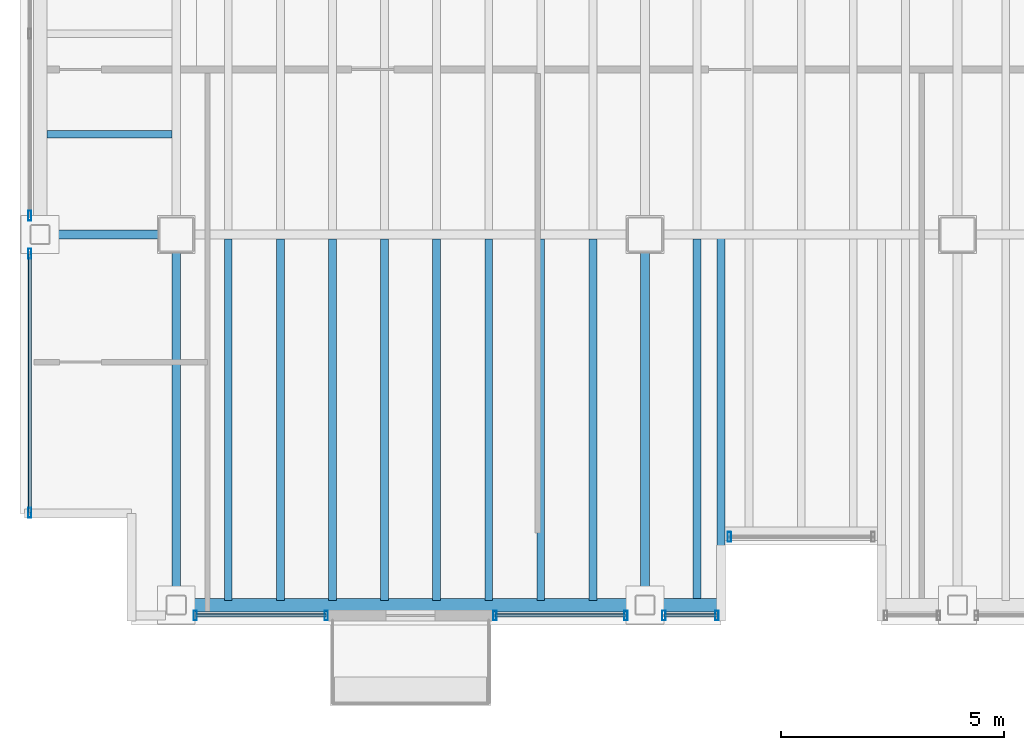
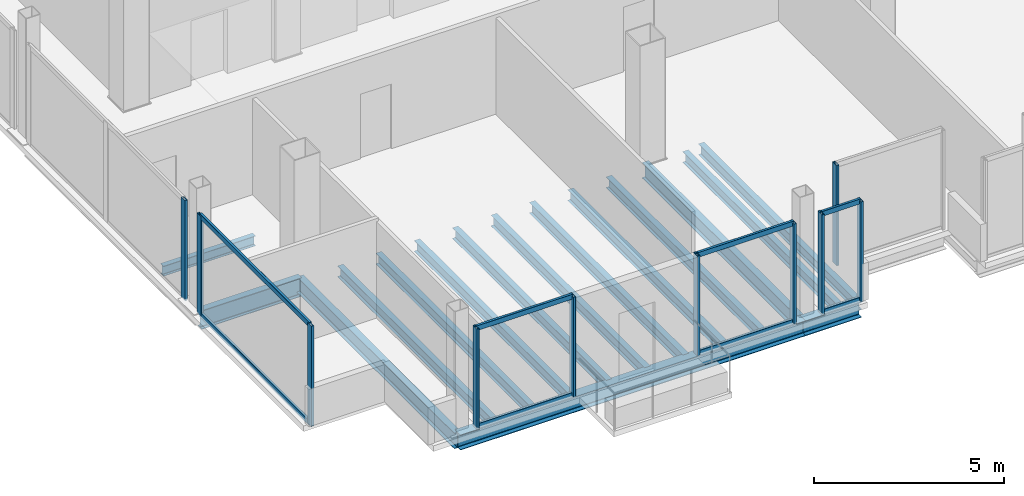
# One storey, part 2 of 15: 18 members, 16 beams, 6 elements without a shape of their own.
"""IFC4 building model written with IfcOpenShell, lengths in metres."""

from ifc_helpers import new_model, si_unit, direction, frame, origin, origin_2d, place, context, subcontext, project, spatial, hollow_rectangle, i_section, extrude, material, material_profile, profile_set, type_object, element, aggregate, save


model = new_model("IFC4")

# Units and contexts
model_context = context("Model", 3, precision=1e-05, world=origin(), true_north=direction((0.0, 1.0)))
body_context = subcontext(model_context, "Body", "Model", "MODEL_VIEW")
ifc_project = project(units=[si_unit("LENGTHUNIT", "METRE"), si_unit("AREAUNIT", "SQUARE_METRE"), si_unit("VOLUMEUNIT", "CUBIC_METRE"), si_unit("PLANEANGLEUNIT", "RADIAN"), si_unit("MASSUNIT", "GRAM", prefix="KILO")], contexts=[model_context])

# Site, building, storey
site_placement = place(None, origin())
site = spatial("IfcSite", under=ifc_project, at=site_placement, CompositionType="ELEMENT")
building_placement = place(site_placement, origin())
building = spatial("IfcBuilding", under=site, at=building_placement, Name="Noeulbin Bourse Tower", CompositionType="ELEMENT")
storey_placement = place(building_placement, frame((0.0, 0.0, 211.10009765625)))
storey = spatial("IfcBuildingStorey", under=building, at=storey_placement, Name="L52", CompositionType="ELEMENT", Elevation=211.10009765625)

# Beams
ifc_material_1 = material(Name="Steel S355", Category="steel")
ifc_material_profile_1 = material_profile(ifc_material_1, i_section(OverallWidth=0.199951171875, OverallDepth=0.5, WebThickness=0.010009765625, FlangeThickness=0.01611328125, FilletRadius=0.02001953125, at=origin_2d()), Name="H-500x200x10x16", Category="LoadBearing")
ifc_profile_set_1 = profile_set([ifc_material_profile_1], Name="Steel S355")
beam_type_1 = type_object("IfcBeamType", Name="BM-GRD-500", PredefinedType="USERDEFINED", material=ifc_profile_set_1)
for number, where, z_axis, x_axis, name in (
    (1, (13.5, 11.699951171875, -0.43017578125), (0.0, 1.0, 0.0), (-1.0, 0.0, 0.0), "Tower Primary Girder NS L52-1.1"),
    (2, (24.0, 11.699951171875, -0.43017578125), (0.0, 1.0, 0.0), (-1.0, 0.0, 0.0), "Tower Primary Girder NS L52-2.1"),
):
    element("IfcBeam", number, at=place(storey_placement, frame(where, z_axis=z_axis, x_axis=x_axis)), inside=storey, type_object=beam_type_1, Name=name, ObjectType="GIRDER", PredefinedType="USERDEFINED", context=body_context, shape_type="SweptSolid", body=[
        extrude(i_section(OverallWidth=0.199951171875, OverallDepth=0.5, WebThickness=0.010009765625, FlangeThickness=0.01611328125, FilletRadius=0.02001953125, at=origin_2d()), origin(), (0.0, 0.0, 1.0), 8.300048828125),
    ])
ifc_material_profile_2 = material_profile(ifc_material_1, i_section(OverallWidth=0.199951171875, OverallDepth=0.60009765625, WebThickness=0.010986328125, FlangeThickness=0.01708984375, FilletRadius=0.02197265625, at=origin_2d()), Name="H-600x200x11x17", Category="LoadBearing")
ifc_profile_set_2 = profile_set([ifc_material_profile_2], Name="Steel S355")
beam_type_2 = type_object("IfcBeamType", Name="BM-GRD-600", PredefinedType="USERDEFINED", material=ifc_profile_set_2)
beam_1_placement = place(storey_placement, frame((10.449951171875, 20.0, -0.47998046875), z_axis=(1.0, 0.0, 0.0), x_axis=(0.0, 1.0, 0.0)))
element("IfcBeam", 3, at=beam_1_placement, inside=storey, type_object=beam_type_2, Name="Tower Primary Girder EW L52-1.1", ObjectType="GIRDER", PredefinedType="USERDEFINED", context=body_context, shape_type="SweptSolid", body=[
    extrude(i_section(OverallWidth=0.199951171875, OverallDepth=0.60009765625, WebThickness=0.010986328125, FlangeThickness=0.01708984375, FilletRadius=0.02197265625, at=origin_2d()), origin(), (0.0, 0.0, 1.0), 3.050048828125),
])
ifc_material_profile_3 = material_profile(ifc_material_1, i_section(OverallWidth=0.159912109375, OverallDepth=0.320068359375, WebThickness=0.006591796875, FlangeThickness=0.010009765625, FilletRadius=0.012939453125, at=origin_2d()), Name="H-320x160x6.5x10", Category="LoadBearing")
ifc_profile_set_3 = profile_set([ifc_material_profile_3], Name="Steel S355")
beam_type_3 = type_object("IfcBeamType", Name="BM-JST-320", PredefinedType="JOIST", material=ifc_profile_set_3)
beam_2_placement = place(storey_placement, frame((10.60009765625, 22.25, -0.340087890625), z_axis=(1.0, 0.0, 0.0), x_axis=(0.0, 1.0, 0.0)))
element("IfcBeam", 4, at=beam_2_placement, inside=storey, type_object=beam_type_3, Name="Wing Composite Joist L52-W47", PredefinedType="JOIST", context=body_context, shape_type="SweptSolid", body=[
    extrude(i_section(OverallWidth=0.159912109375, OverallDepth=0.320068359375, WebThickness=0.006591796875, FlangeThickness=0.010009765625, FilletRadius=0.012939453125, at=origin_2d()), origin(), (0.0, 0.0, 1.0), 2.7998046875),
])
ifc_material_profile_4 = material_profile(ifc_material_1, i_section(OverallWidth=0.175048828125, OverallDepth=0.35009765625, WebThickness=0.007080078125, FlangeThickness=0.010986328125, FilletRadius=0.013916015625, at=origin_2d()), Name="H-350x175x7x11", Category="LoadBearing")
ifc_profile_set_4 = profile_set([ifc_material_profile_4], Name="Steel S355")
beam_type_4 = type_object("IfcBeamType", Name="BM-JST-350", PredefinedType="JOIST", material=ifc_profile_set_4)
beam_3_placement = place(storey_placement, frame((25.699951171875, 11.699951171875, -0.35498046875), z_axis=(0.0, 1.0, 0.0), x_axis=(-1.0, 0.0, 0.0)))
element("IfcBeam", 5, at=beam_3_placement, inside=storey, type_object=beam_type_4, Name="BM-L52-SRT-W", PredefinedType="JOIST", context=body_context, shape_type="SweptSolid", body=[
    extrude(i_section(OverallWidth=0.175048828125, OverallDepth=0.35009765625, WebThickness=0.007080078125, FlangeThickness=0.010986328125, FilletRadius=0.013916015625, at=origin_2d()), origin(), (0.0, 0.0, 1.0), 8.300048828125),
])
for number, where, z_axis, x_axis, name in (
    (6, (14.666748046875, 11.800048828125, -0.35498046875), (0.0, 1.0, 0.0), (-1.0, 0.0, 0.0), "Tower Composite Joist L52-01"),
    (7, (15.833251953125, 11.800048828125, -0.35498046875), (0.0, 1.0, 0.0), (-1.0, 0.0, 0.0), "Tower Composite Joist L52-03"),
    (8, (17.0, 11.800048828125, -0.35498046875), (0.0, 1.0, 0.0), (-1.0, 0.0, 0.0), "Tower Composite Joist L52-05"),
    (9, (18.166748046875, 11.800048828125, -0.35498046875), (0.0, 1.0, 0.0), (-1.0, 0.0, 0.0), "Tower Composite Joist L52-07"),
    (10, (19.333251953125, 11.800048828125, -0.35498046875), (0.0, 1.0, 0.0), (-1.0, 0.0, 0.0), "Tower Composite Joist L52-09"),
    (11, (20.5, 11.800048828125, -0.35498046875), (0.0, 1.0, 0.0), (-1.0, 0.0, 0.0), "Tower Composite Joist L52-11"),
    (12, (21.666748046875, 11.800048828125, -0.35498046875), (0.0, 1.0, 0.0), (-1.0, 0.0, 0.0), "Tower Composite Joist L52-13"),
    (13, (22.833251953125, 11.800048828125, -0.35498046875), (0.0, 1.0, 0.0), (-1.0, 0.0, 0.0), "Tower Composite Joist L52-15"),
    (14, (25.166748046875, 11.800048828125, -0.35498046875), (0.0, 1.0, 0.0), (-1.0, 0.0, 0.0), "Tower Composite Joist L52-17"),
):
    element("IfcBeam", number, at=place(storey_placement, frame(where, z_axis=z_axis, x_axis=x_axis)), inside=storey, type_object=beam_type_4, Name=name, PredefinedType="JOIST", context=body_context, shape_type="SweptSolid", body=[
        extrude(i_section(OverallWidth=0.175048828125, OverallDepth=0.35009765625, WebThickness=0.007080078125, FlangeThickness=0.010986328125, FilletRadius=0.013916015625, at=origin_2d()), origin(), (0.0, 0.0, 1.0), 8.099853515625),
    ])
ifc_material_profile_5 = material_profile(ifc_material_1, i_section(OverallWidth=0.300048828125, OverallDepth=0.488037109375, WebThickness=0.010986328125, FlangeThickness=0.01806640625, FilletRadius=0.02197265625, at=origin_2d()), Name="H-488x300x11x18", Category="LoadBearing")
ifc_profile_set_5 = profile_set([ifc_material_profile_5], Name="Steel S355")
beam_type_5 = type_object("IfcBeamType", Name="BM-SPN-488", PredefinedType="SPANDREL", material=ifc_profile_set_5)
beam_4_placement = place(storey_placement, frame((13.5, 11.699951171875, -0.424072265625), z_axis=(1.0, 0.0, 0.0), x_axis=(0.0, 1.0, 0.0)))
element("IfcBeam", 15, at=beam_4_placement, inside=storey, type_object=beam_type_5, Name="South Spandrel L52-1", PredefinedType="SPANDREL", context=body_context, shape_type="SweptSolid", body=[
    extrude(i_section(OverallWidth=0.300048828125, OverallDepth=0.488037109375, WebThickness=0.010986328125, FlangeThickness=0.01806640625, FilletRadius=0.02197265625, at=origin_2d()), origin(), (0.0, 0.0, 1.0), 10.5),
])
beam_5_placement = place(storey_placement, frame((24.0, 11.699951171875, -0.424072265625), z_axis=(1.0, 0.0, 0.0), x_axis=(0.0, 1.0, 0.0)))
element("IfcBeam", 16, at=beam_5_placement, inside=storey, type_object=beam_type_5, Name="South Spandrel L52-2A", PredefinedType="SPANDREL", context=body_context, shape_type="SweptSolid", body=[
    extrude(i_section(OverallWidth=0.300048828125, OverallDepth=0.488037109375, WebThickness=0.010986328125, FlangeThickness=0.01806640625, FilletRadius=0.02197265625, at=origin_2d()), origin(), (0.0, 0.0, 1.0), 1.699951171875),
])

# Curtain wall, member
ifc_material_2 = material(Name="High-Selectivity Low-Iron Glazing", Category="glass")
curtain_wall_type = type_object("IfcCurtainWallType", Name="CW-SYS-4", PredefinedType="NOTDEFINED", material=ifc_material_2)
curtain_wall_1_placement = place(storey_placement, origin())
curtain_wall_1 = element("IfcCurtainWall", 17, at=curtain_wall_1_placement, inside=storey, type_object=curtain_wall_type, Name="Unitised Curtain Wall CW-L52-SREC", PredefinedType="NOTDEFINED")
ifc_material_3 = material(Name="Anodised Aluminium 6063-T6", Category="aluminium")
ifc_material_profile_6 = material_profile(ifc_material_3, hollow_rectangle(XDim=0.074951171875, YDim=0.219970703125, WallThickness=0.0048828125, InnerFilletRadius=0.00244140625, OuterFilletRadius=0.0048828125, at=origin_2d()), Name="ALU-MULL-75x220x5", Category="LoadBearing")
ifc_profile_set_6 = profile_set([ifc_material_profile_6], Name="Anodised Aluminium 6063-T6")
member_type_1 = type_object("IfcMemberType", Name="CW-SYS-4-MUL", PredefinedType="MULLION", material=ifc_profile_set_6)
member_1_placement = place(storey_placement, frame((25.889892578125, 13.22998046875, -0.02001953125), z_axis=(0.0, 0.0, 1.0), x_axis=(1.0, 0.0, 0.0)))
member_1 = element("IfcMember", 18, at=member_1_placement, type_object=member_type_1, Name="Curtain Wall Mullion CW-L52-SREC-M00", PredefinedType="MULLION", context=body_context, shape_type="SweptSolid", body=[
    extrude(hollow_rectangle(XDim=0.074951171875, YDim=0.219970703125, WallThickness=0.0048828125, InnerFilletRadius=0.00244140625, OuterFilletRadius=0.0048828125, at=origin_2d()), origin(), (0.0, 0.0, 1.0), 3.219970703125),
])
aggregate(curtain_wall_1, [member_1])

# Curtain wall, members
curtain_wall_2_placement = place(storey_placement, origin())
curtain_wall_2 = element("IfcCurtainWall", 19, at=curtain_wall_2_placement, inside=storey, type_object=curtain_wall_type, Name="Unitised Curtain Wall CW-L52-S1", PredefinedType="NOTDEFINED")
member_2_placement = place(storey_placement, frame((13.925048828125, 11.469970703125, -0.02001953125), z_axis=(0.0, 0.0, 1.0), x_axis=(1.0, 0.0, 0.0)))
member_2 = element("IfcMember", 20, at=member_2_placement, type_object=member_type_1, Name="Curtain Wall Mullion CW-L52-S1-M00", PredefinedType="MULLION", context=body_context, shape_type="SweptSolid", body=[
    extrude(hollow_rectangle(XDim=0.074951171875, YDim=0.219970703125, WallThickness=0.0048828125, InnerFilletRadius=0.00244140625, OuterFilletRadius=0.0048828125, at=origin_2d()), origin(), (0.0, 0.0, 1.0), 3.219970703125),
])
member_3_placement = place(storey_placement, frame((16.860107421875, 11.469970703125, -0.02001953125), z_axis=(0.0, 0.0, 1.0), x_axis=(1.0, 0.0, 0.0)))
member_3 = element("IfcMember", 21, at=member_3_placement, type_object=member_type_1, Name="Curtain Wall Mullion CW-L52-S1-M01", PredefinedType="MULLION", context=body_context, shape_type="SweptSolid", body=[
    extrude(hollow_rectangle(XDim=0.074951171875, YDim=0.219970703125, WallThickness=0.0048828125, InnerFilletRadius=0.00244140625, OuterFilletRadius=0.0048828125, at=origin_2d()), origin(), (0.0, 0.0, 1.0), 3.219970703125),
])

curtain_wall_3_placement = place(storey_placement, origin())
curtain_wall_3 = element("IfcCurtainWall", 22, at=curtain_wall_3_placement, inside=storey, type_object=curtain_wall_type, Name="Unitised Curtain Wall CW-L52-S2-S1", PredefinedType="NOTDEFINED")
member_4_placement = place(storey_placement, frame((20.639892578125, 11.469970703125, -0.02001953125), z_axis=(0.0, 0.0, 1.0), x_axis=(1.0, 0.0, 0.0)))
member_4 = element("IfcMember", 23, at=member_4_placement, type_object=member_type_1, Name="Curtain Wall Mullion CW-L52-S2-S1-M00", PredefinedType="MULLION", context=body_context, shape_type="SweptSolid", body=[
    extrude(hollow_rectangle(XDim=0.074951171875, YDim=0.219970703125, WallThickness=0.0048828125, InnerFilletRadius=0.00244140625, OuterFilletRadius=0.0048828125, at=origin_2d()), origin(), (0.0, 0.0, 1.0), 3.219970703125),
])
member_5_placement = place(storey_placement, frame((23.574951171875, 11.469970703125, -0.02001953125), z_axis=(0.0, 0.0, 1.0), x_axis=(1.0, 0.0, 0.0)))
member_5 = element("IfcMember", 24, at=member_5_placement, type_object=member_type_1, Name="Curtain Wall Mullion CW-L52-S2-S1-M01", PredefinedType="MULLION", context=body_context, shape_type="SweptSolid", body=[
    extrude(hollow_rectangle(XDim=0.074951171875, YDim=0.219970703125, WallThickness=0.0048828125, InnerFilletRadius=0.00244140625, OuterFilletRadius=0.0048828125, at=origin_2d()), origin(), (0.0, 0.0, 1.0), 3.219970703125),
])

curtain_wall_4_placement = place(storey_placement, origin())
curtain_wall_4 = element("IfcCurtainWall", 25, at=curtain_wall_4_placement, inside=storey, type_object=curtain_wall_type, Name="Unitised Curtain Wall CW-L52-S2-S2", PredefinedType="NOTDEFINED")
member_6_placement = place(storey_placement, frame((24.425048828125, 11.469970703125, -0.02001953125), z_axis=(0.0, 0.0, 1.0), x_axis=(1.0, 0.0, 0.0)))
member_6 = element("IfcMember", 26, at=member_6_placement, type_object=member_type_1, Name="Curtain Wall Mullion CW-L52-S2-S2-M00", PredefinedType="MULLION", context=body_context, shape_type="SweptSolid", body=[
    extrude(hollow_rectangle(XDim=0.074951171875, YDim=0.219970703125, WallThickness=0.0048828125, InnerFilletRadius=0.00244140625, OuterFilletRadius=0.0048828125, at=origin_2d()), origin(), (0.0, 0.0, 1.0), 3.219970703125),
])
member_7_placement = place(storey_placement, frame((25.610107421875, 11.469970703125, -0.02001953125), z_axis=(0.0, 0.0, 1.0), x_axis=(1.0, 0.0, 0.0)))
member_7 = element("IfcMember", 27, at=member_7_placement, type_object=member_type_1, Name="Curtain Wall Mullion CW-L52-S2-S2-M01", PredefinedType="MULLION", context=body_context, shape_type="SweptSolid", body=[
    extrude(hollow_rectangle(XDim=0.074951171875, YDim=0.219970703125, WallThickness=0.0048828125, InnerFilletRadius=0.00244140625, OuterFilletRadius=0.0048828125, at=origin_2d()), origin(), (0.0, 0.0, 1.0), 3.219970703125),
])

curtain_wall_5_placement = place(storey_placement, origin())
curtain_wall_5 = element("IfcCurtainWall", 28, at=curtain_wall_5_placement, inside=storey, type_object=curtain_wall_type, Name="Unitised Curtain Wall CW-L52-W-S1", PredefinedType="NOTDEFINED")
member_8_placement = place(storey_placement, frame((10.219970703125, 13.77001953125, -0.02001953125), z_axis=(0.0, 0.0, 1.0), x_axis=(1.0, 0.0, 0.0)))
member_8 = element("IfcMember", 29, at=member_8_placement, type_object=member_type_1, Name="Curtain Wall Mullion CW-L52-W-S1-M00", PredefinedType="MULLION", context=body_context, shape_type="SweptSolid", body=[
    extrude(hollow_rectangle(XDim=0.074951171875, YDim=0.219970703125, WallThickness=0.0048828125, InnerFilletRadius=0.00244140625, OuterFilletRadius=0.0048828125, at=origin_2d()), origin(), (0.0, 0.0, 1.0), 3.219970703125),
])
member_9_placement = place(storey_placement, frame((10.219970703125, 19.574951171875, -0.02001953125), z_axis=(0.0, 0.0, 1.0), x_axis=(1.0, 0.0, 0.0)))
member_9 = element("IfcMember", 30, at=member_9_placement, type_object=member_type_1, Name="Curtain Wall Mullion CW-L52-W-S1-M01", PredefinedType="MULLION", context=body_context, shape_type="SweptSolid", body=[
    extrude(hollow_rectangle(XDim=0.074951171875, YDim=0.219970703125, WallThickness=0.0048828125, InnerFilletRadius=0.00244140625, OuterFilletRadius=0.0048828125, at=origin_2d()), origin(), (0.0, 0.0, 1.0), 3.219970703125),
])

# Curtain wall, member
curtain_wall_6_placement = place(storey_placement, origin())
curtain_wall_6 = element("IfcCurtainWall", 31, at=curtain_wall_6_placement, inside=storey, type_object=curtain_wall_type, Name="Unitised Curtain Wall CW-L52-W-S2", PredefinedType="NOTDEFINED")
member_10_placement = place(storey_placement, frame((10.219970703125, 20.425048828125, -0.02001953125), z_axis=(0.0, 0.0, 1.0), x_axis=(1.0, 0.0, 0.0)))
member_10 = element("IfcMember", 32, at=member_10_placement, type_object=member_type_1, Name="Curtain Wall Mullion CW-L52-W-S2-M00", PredefinedType="MULLION", context=body_context, shape_type="SweptSolid", body=[
    extrude(hollow_rectangle(XDim=0.074951171875, YDim=0.219970703125, WallThickness=0.0048828125, InnerFilletRadius=0.00244140625, OuterFilletRadius=0.0048828125, at=origin_2d()), origin(), (0.0, 0.0, 1.0), 3.219970703125),
])
aggregate(curtain_wall_6, [member_10])

# Member
ifc_material_profile_7 = material_profile(ifc_material_3, hollow_rectangle(XDim=0.074951171875, YDim=0.159912109375, WallThickness=0.0048828125, InnerFilletRadius=0.00244140625, OuterFilletRadius=0.0048828125, at=origin_2d()), Name="ALU-TRAN-75x160x5", Category="LoadBearing")
ifc_profile_set_7 = profile_set([ifc_material_profile_7], Name="Anodised Aluminium 6063-T6")
member_type_2 = type_object("IfcMemberType", Name="CW-SYS-4-TRN", PredefinedType="USERDEFINED", material=ifc_profile_set_7)
member_11_placement = place(storey_placement, frame((13.93505859375, 11.469970703125, 0.010009765625), z_axis=(1.0, 0.0, 0.0), x_axis=(0.0, 1.0, 0.0)))
member_11 = element("IfcMember", 33, at=member_11_placement, type_object=member_type_2, Name="Curtain Wall Transom CW-L52-S1-T00", ObjectType="TRANSOM", PredefinedType="USERDEFINED", context=body_context, shape_type="SweptSolid", body=[
    extrude(hollow_rectangle(XDim=0.074951171875, YDim=0.159912109375, WallThickness=0.0048828125, InnerFilletRadius=0.00244140625, OuterFilletRadius=0.0048828125, at=origin_2d()), origin(), (0.0, 0.0, 1.0), 2.9150390625),
])

member_12_placement = place(storey_placement, frame((13.93505859375, 11.469970703125, 3.169921875), z_axis=(1.0, 0.0, 0.0), x_axis=(0.0, 1.0, 0.0)))
member_12 = element("IfcMember", 34, at=member_12_placement, type_object=member_type_2, Name="Curtain Wall Transom CW-L52-S1-T01", ObjectType="TRANSOM", PredefinedType="USERDEFINED", context=body_context, shape_type="SweptSolid", body=[
    extrude(hollow_rectangle(XDim=0.074951171875, YDim=0.159912109375, WallThickness=0.0048828125, InnerFilletRadius=0.00244140625, OuterFilletRadius=0.0048828125, at=origin_2d()), origin(), (0.0, 0.0, 1.0), 2.9150390625),
])

aggregate(curtain_wall_2, [member_2, member_3, member_11, member_12])

member_13_placement = place(storey_placement, frame((20.64990234375, 11.469970703125, 0.010009765625), z_axis=(1.0, 0.0, 0.0), x_axis=(0.0, 1.0, 0.0)))
member_13 = element("IfcMember", 35, at=member_13_placement, type_object=member_type_2, Name="Curtain Wall Transom CW-L52-S2-S1-T00", ObjectType="TRANSOM", PredefinedType="USERDEFINED", context=body_context, shape_type="SweptSolid", body=[
    extrude(hollow_rectangle(XDim=0.074951171875, YDim=0.159912109375, WallThickness=0.0048828125, InnerFilletRadius=0.00244140625, OuterFilletRadius=0.0048828125, at=origin_2d()), origin(), (0.0, 0.0, 1.0), 2.9150390625),
])

member_14_placement = place(storey_placement, frame((20.64990234375, 11.469970703125, 3.169921875), z_axis=(1.0, 0.0, 0.0), x_axis=(0.0, 1.0, 0.0)))
member_14 = element("IfcMember", 36, at=member_14_placement, type_object=member_type_2, Name="Curtain Wall Transom CW-L52-S2-S1-T01", ObjectType="TRANSOM", PredefinedType="USERDEFINED", context=body_context, shape_type="SweptSolid", body=[
    extrude(hollow_rectangle(XDim=0.074951171875, YDim=0.159912109375, WallThickness=0.0048828125, InnerFilletRadius=0.00244140625, OuterFilletRadius=0.0048828125, at=origin_2d()), origin(), (0.0, 0.0, 1.0), 2.9150390625),
])

aggregate(curtain_wall_3, [member_4, member_5, member_13, member_14])

member_15_placement = place(storey_placement, frame((24.43505859375, 11.469970703125, 0.010009765625), z_axis=(1.0, 0.0, 0.0), x_axis=(0.0, 1.0, 0.0)))
member_15 = element("IfcMember", 37, at=member_15_placement, type_object=member_type_2, Name="Curtain Wall Transom CW-L52-S2-S2-T00", ObjectType="TRANSOM", PredefinedType="USERDEFINED", context=body_context, shape_type="SweptSolid", body=[
    extrude(hollow_rectangle(XDim=0.074951171875, YDim=0.159912109375, WallThickness=0.0048828125, InnerFilletRadius=0.00244140625, OuterFilletRadius=0.0048828125, at=origin_2d()), origin(), (0.0, 0.0, 1.0), 1.1650390625),
])

member_16_placement = place(storey_placement, frame((24.43505859375, 11.469970703125, 3.169921875), z_axis=(1.0, 0.0, 0.0), x_axis=(0.0, 1.0, 0.0)))
member_16 = element("IfcMember", 38, at=member_16_placement, type_object=member_type_2, Name="Curtain Wall Transom CW-L52-S2-S2-T01", ObjectType="TRANSOM", PredefinedType="USERDEFINED", context=body_context, shape_type="SweptSolid", body=[
    extrude(hollow_rectangle(XDim=0.074951171875, YDim=0.159912109375, WallThickness=0.0048828125, InnerFilletRadius=0.00244140625, OuterFilletRadius=0.0048828125, at=origin_2d()), origin(), (0.0, 0.0, 1.0), 1.1650390625),
])

aggregate(curtain_wall_4, [member_6, member_7, member_15, member_16])

member_17_placement = place(storey_placement, frame((10.219970703125, 13.780029296875, 0.010009765625), z_axis=(0.0, 1.0, 0.0), x_axis=(-1.0, 0.0, 0.0)))
member_17 = element("IfcMember", 39, at=member_17_placement, type_object=member_type_2, Name="Curtain Wall Transom CW-L52-W-S1-T00", ObjectType="TRANSOM", PredefinedType="USERDEFINED", context=body_context, shape_type="SweptSolid", body=[
    extrude(hollow_rectangle(XDim=0.074951171875, YDim=0.159912109375, WallThickness=0.0048828125, InnerFilletRadius=0.00244140625, OuterFilletRadius=0.0048828125, at=origin_2d()), origin(), (0.0, 0.0, 1.0), 5.784912109375),
])

member_18_placement = place(storey_placement, frame((10.219970703125, 13.780029296875, 3.169921875), z_axis=(0.0, 1.0, 0.0), x_axis=(-1.0, 0.0, 0.0)))
member_18 = element("IfcMember", 40, at=member_18_placement, type_object=member_type_2, Name="Curtain Wall Transom CW-L52-W-S1-T01", ObjectType="TRANSOM", PredefinedType="USERDEFINED", context=body_context, shape_type="SweptSolid", body=[
    extrude(hollow_rectangle(XDim=0.074951171875, YDim=0.159912109375, WallThickness=0.0048828125, InnerFilletRadius=0.00244140625, OuterFilletRadius=0.0048828125, at=origin_2d()), origin(), (0.0, 0.0, 1.0), 5.784912109375),
])

aggregate(curtain_wall_5, [member_8, member_9, member_17, member_18])

save(model, "model.ifc")
